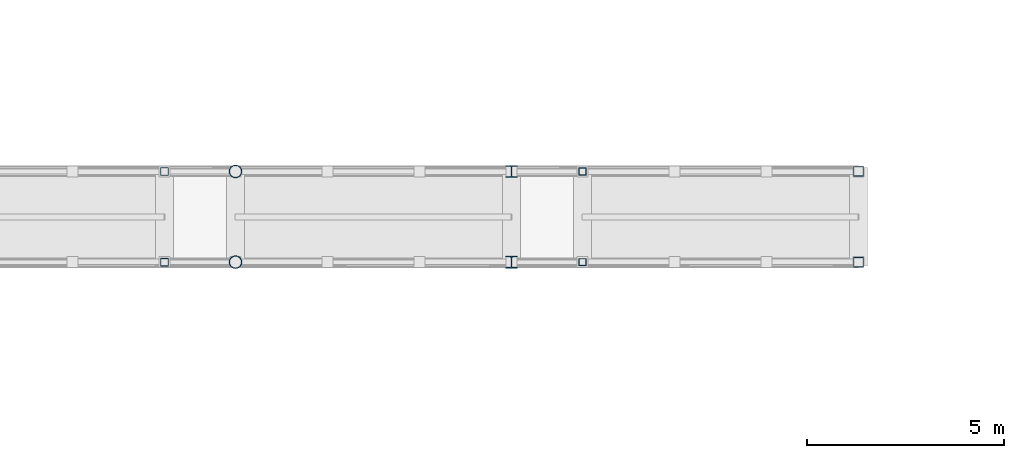
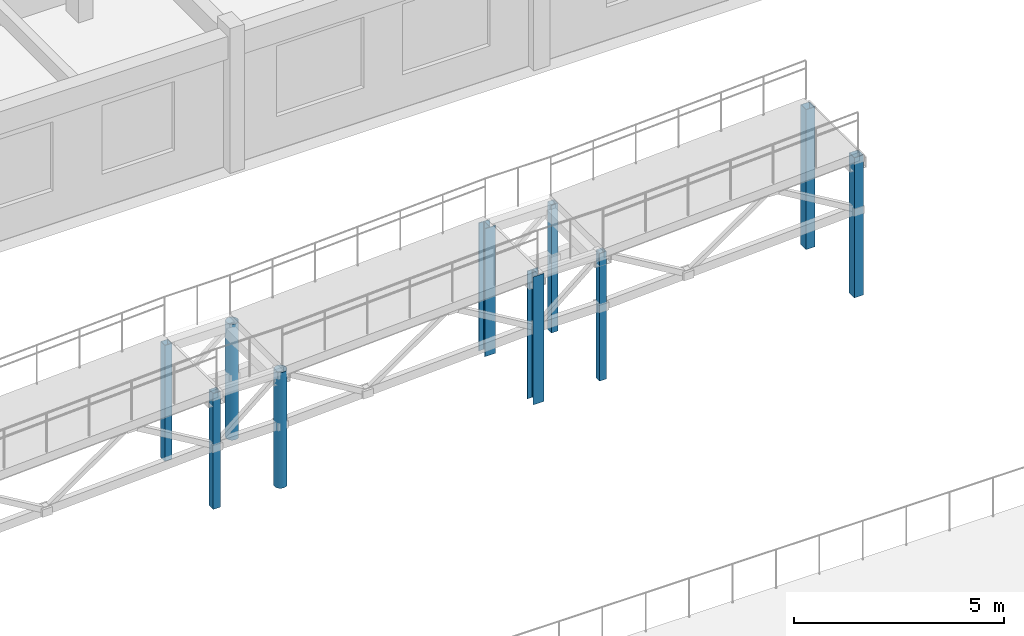
# One storey, part 5 of 41: 10 columns.
"""IFC4 building model written with IfcOpenShell, lengths in metres."""

from ifc_helpers import new_model, si_unit, direction, frame, origin, origin_2d, place, context, subcontext, project, spatial, hollow_rectangle, hollow_circle, i_section, extrude, material, material_profile, profile_set, type_object, element, save


model = new_model("IFC4")

# Units and contexts
model_context = context("Model", 3, precision=1e-05, world=origin(), true_north=direction((0.0, 1.0)))
body_context = subcontext(model_context, "Body", "Model", "MODEL_VIEW")
ifc_project = project(units=[si_unit("LENGTHUNIT", "METRE"), si_unit("AREAUNIT", "SQUARE_METRE"), si_unit("VOLUMEUNIT", "CUBIC_METRE"), si_unit("PLANEANGLEUNIT", "RADIAN"), si_unit("MASSUNIT", "GRAM", prefix="KILO")], contexts=[model_context])

# Site, building, storey
site_placement = place(None, origin())
site = spatial("IfcSite", under=ifc_project, at=site_placement, CompositionType="ELEMENT")
building_placement = place(site_placement, origin())
building = spatial("IfcBuilding", under=site, at=building_placement, Name="Malvenik Polytechnic", CompositionType="ELEMENT")
storey_placement = place(building_placement, frame((0.0, 0.0, 17.699951171875)))
storey = spatial("IfcBuildingStorey", under=building, at=storey_placement, Name="L04", CompositionType="ELEMENT", Elevation=17.699951171875)

# Columns
ifc_material_1 = material(Name="Steel S355J2H", Category="steel")
ifc_material_profile_1 = material_profile(ifc_material_1, hollow_rectangle(XDim=0.25, YDim=0.25, WallThickness=0.010009765625, at=origin_2d()), Name="SHS 250x250x10.0")
ifc_profile_set_1 = profile_set([ifc_material_profile_1], Name="Steel S355J2H")
column_type_1 = type_object("IfcColumnType", Name="STR-SCOL-SC-01", PredefinedType="COLUMN", material=ifc_profile_set_1)
for number, where, z_axis, x_axis, name in (
    (1, (127.800048828125, 103.14990234375, 0.0), (0.0, 0.0, 1.0), (1.0, 0.0, 0.0), "Bridge-Ramp Support Column SC-01 L04"),
    (2, (127.800048828125, 105.449951171875, 0.0), (0.0, 0.0, 1.0), (1.0, 0.0, 0.0), "Bridge-Ramp Support Column SC-01 L04"),
):
    element("IfcColumn", number, at=place(storey_placement, frame(where, z_axis=z_axis, x_axis=x_axis)), inside=storey, type_object=column_type_1, Name=name, PredefinedType="COLUMN", context=body_context, shape_type="SweptSolid", body=[
        extrude(hollow_rectangle(XDim=0.25, YDim=0.25, WallThickness=0.010009765625, at=origin_2d()), origin(), (0.0, 0.0, 1.0), 4.06005859375),
    ])
ifc_material_profile_2 = material_profile(ifc_material_1, hollow_rectangle(XDim=0.199951171875, YDim=0.199951171875, WallThickness=0.010009765625, at=origin_2d()), Name="SHS 200x200x10.0")
ifc_profile_set_2 = profile_set([ifc_material_profile_2], Name="Steel S355J2H")
column_type_2 = type_object("IfcColumnType", Name="STR-SCOL-SC-02", PredefinedType="COLUMN", material=ifc_profile_set_2)
for number, where, z_axis, x_axis, name in (
    (3, (110.199951171875, 103.14990234375, 0.0), (0.0, 0.0, 1.0), (1.0, 0.0, 0.0), "Bridge-Ramp Support Column SC-02 L04"),
    (4, (110.199951171875, 105.449951171875, 0.0), (0.0, 0.0, 1.0), (1.0, 0.0, 0.0), "Bridge-Ramp Support Column SC-02 L04"),
):
    element("IfcColumn", number, at=place(storey_placement, frame(where, z_axis=z_axis, x_axis=x_axis)), inside=storey, type_object=column_type_2, Name=name, PredefinedType="COLUMN", context=body_context, shape_type="SweptSolid", body=[
        extrude(hollow_rectangle(XDim=0.199951171875, YDim=0.199951171875, WallThickness=0.010009765625, at=origin_2d()), origin(), (0.0, 0.0, 1.0), 3.360107421875),
    ])
ifc_material_profile_3 = material_profile(ifc_material_1, hollow_circle(Radius=0.161865234375, WallThickness=0.012451171875, at=origin_2d()), Name="CHS 323.9x12.5")
ifc_profile_set_3 = profile_set([ifc_material_profile_3], Name="Steel S355J2H")
column_type_3 = type_object("IfcColumnType", Name="STR-SCOL-SC-04", PredefinedType="COLUMN", material=ifc_profile_set_3)
for number, where, z_axis, x_axis, name in (
    (5, (112.0, 103.14990234375, 0.0), (0.0, 0.0, 1.0), (1.0, 0.0, 0.0), "Bridge-Ramp Support Column SC-04 L04"),
    (6, (112.0, 105.449951171875, 0.0), (0.0, 0.0, 1.0), (1.0, 0.0, 0.0), "Bridge-Ramp Support Column SC-04 L04"),
):
    element("IfcColumn", number, at=place(storey_placement, frame(where, z_axis=z_axis, x_axis=x_axis)), inside=storey, type_object=column_type_3, Name=name, PredefinedType="COLUMN", context=body_context, shape_type="SweptSolid", body=[
        extrude(hollow_circle(Radius=0.161865234375, WallThickness=0.012451171875, at=origin_2d()), origin(), (0.0, 0.0, 1.0), 3.360107421875),
    ])
ifc_material_2 = material(Name="Steel S355", Category="steel")
ifc_material_profile_4 = material_profile(ifc_material_2, i_section(OverallWidth=0.300048828125, OverallDepth=0.300048828125, WebThickness=0.010986328125, FlangeThickness=0.01904296875, FilletRadius=0.027099609375, at=origin_2d()), Name="HEB 300")
ifc_profile_set_4 = profile_set([ifc_material_profile_4], Name="Steel S355")
column_type_4 = type_object("IfcColumnType", Name="STR-SCOL-SC-05", PredefinedType="COLUMN", material=ifc_profile_set_4)
for number, where, z_axis, x_axis, name in (
    (7, (119.0, 103.14990234375, 0.0), (0.0, 0.0, 1.0), (1.0, 0.0, 0.0), "Bridge-Ramp Support Column SC-05 L04"),
    (8, (119.0, 105.449951171875, 0.0), (0.0, 0.0, 1.0), (1.0, 0.0, 0.0), "Bridge-Ramp Support Column SC-05 L04"),
):
    element("IfcColumn", number, at=place(storey_placement, frame(where, z_axis=z_axis, x_axis=x_axis)), inside=storey, type_object=column_type_4, Name=name, PredefinedType="COLUMN", context=body_context, shape_type="SweptSolid", body=[
        extrude(i_section(OverallWidth=0.300048828125, OverallDepth=0.300048828125, WebThickness=0.010986328125, FlangeThickness=0.01904296875, FilletRadius=0.027099609375, at=origin_2d()), origin(), (0.0, 0.0, 1.0), 3.7099609375),
    ])
ifc_material_profile_5 = material_profile(ifc_material_1, hollow_rectangle(XDim=0.179931640625, YDim=0.179931640625, WallThickness=0.008056640625, at=origin_2d()), Name="SHS 180x180x8.0")
ifc_profile_set_5 = profile_set([ifc_material_profile_5], Name="Steel S355J2H")
column_type_5 = type_object("IfcColumnType", Name="STR-SCOL-SC-06", PredefinedType="COLUMN", material=ifc_profile_set_5)
for number, where, z_axis, x_axis, name in (
    (9, (120.800048828125, 103.14990234375, 0.0), (0.0, 0.0, 1.0), (1.0, 0.0, 0.0), "Bridge-Ramp Support Column SC-06 L04"),
    (10, (120.800048828125, 105.449951171875, 0.0), (0.0, 0.0, 1.0), (1.0, 0.0, 0.0), "Bridge-Ramp Support Column SC-06 L04"),
):
    element("IfcColumn", number, at=place(storey_placement, frame(where, z_axis=z_axis, x_axis=x_axis)), inside=storey, type_object=column_type_5, Name=name, PredefinedType="COLUMN", context=body_context, shape_type="SweptSolid", body=[
        extrude(hollow_rectangle(XDim=0.179931640625, YDim=0.179931640625, WallThickness=0.008056640625, at=origin_2d()), origin(), (0.0, 0.0, 1.0), 3.7099609375),
    ])

save(model, "model.ifc")
